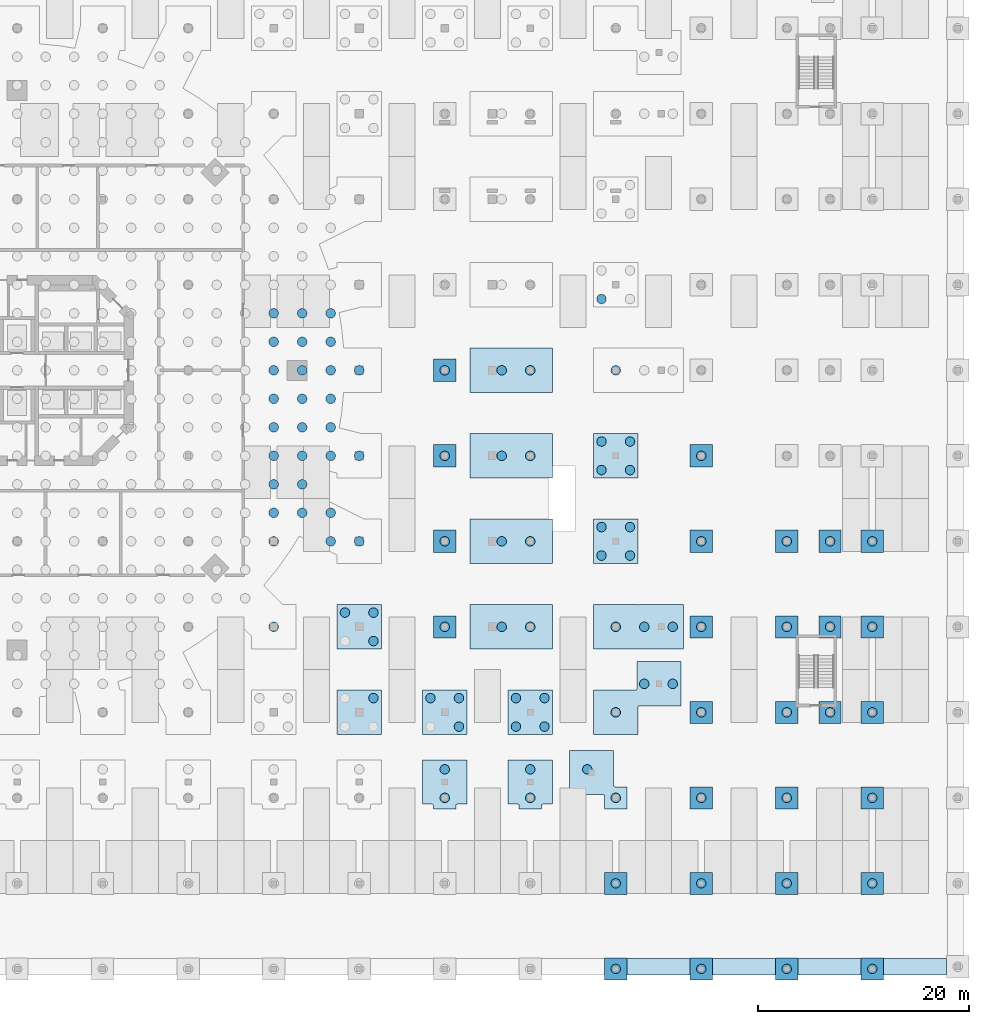
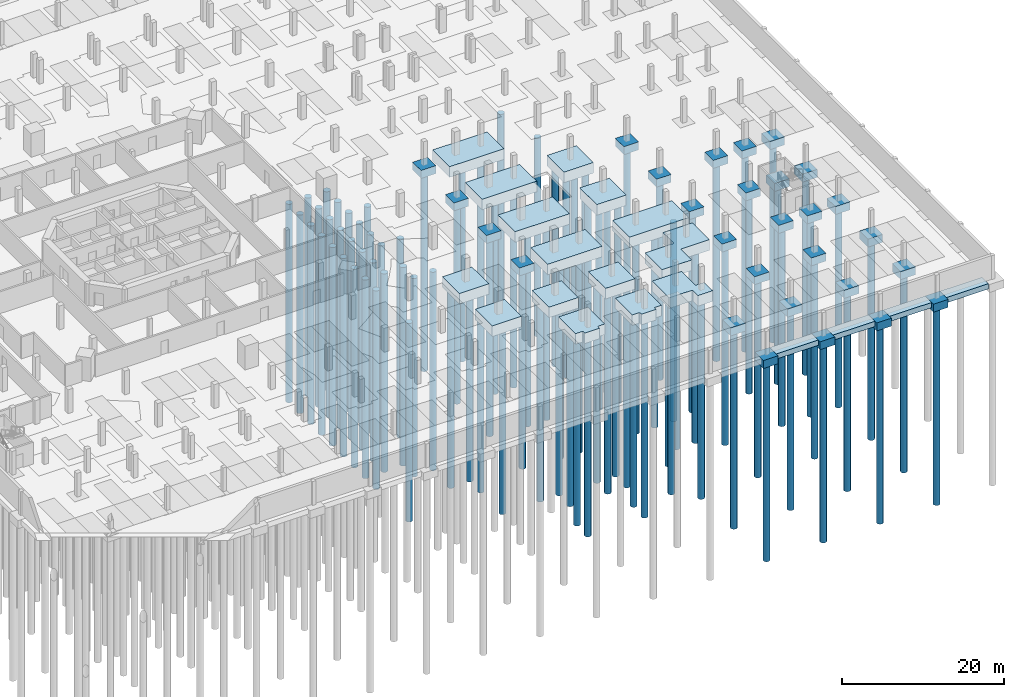
# One storey, part 4 of 23: 98 piles, 47 footings.
"""IFC4 building model written with IfcOpenShell, lengths in metres."""

from ifc_helpers import new_model, si_unit, direction, frame, origin, origin_2d, place, context, subcontext, project, spatial, polyline, rectangle, circle, outline, extrude, material, material_profile, profile_set, type_object, element, save


model = new_model("IFC4")

# Units and contexts
model_context = context("Model", 3, precision=1e-05, world=origin(), true_north=direction((0.0, 1.0)))
body_context = subcontext(model_context, "Body", "Model", "MODEL_VIEW")
ifc_project = project(units=[si_unit("LENGTHUNIT", "METRE"), si_unit("AREAUNIT", "SQUARE_METRE"), si_unit("VOLUMEUNIT", "CUBIC_METRE"), si_unit("PLANEANGLEUNIT", "RADIAN"), si_unit("MASSUNIT", "GRAM", prefix="KILO")], contexts=[model_context])

# Site, building, storey
site_placement = place(None, origin())
site = spatial("IfcSite", under=ifc_project, at=site_placement, CompositionType="ELEMENT")
building_placement = place(site_placement, origin())
building = spatial("IfcBuilding", under=site, at=building_placement, Name="Torre Triforio", CompositionType="ELEMENT")
storey_placement = place(building_placement, frame((0.0, 0.0, -10.800048828125)))
storey = spatial("IfcBuildingStorey", under=building, at=storey_placement, Name="B3", CompositionType="ELEMENT", Elevation=-10.800048828125)

# Piles
ifc_material_1 = material(Name="Concrete C35", Category="concrete")
ifc_material_profile = material_profile(ifc_material_1, circle(Radius=0.449951171875, at=origin_2d()), Name="RC D900")
ifc_profile_set = profile_set([ifc_material_profile], Name="Concrete C35")
pile_type = type_object("IfcPileType", Name="Bored pile D900 C35", PredefinedType="BORED", material=ifc_profile_set)
for number, where, z_axis, x_axis, name in (
    (1, (24.300048828125, -24.300048828125, -3.39990234375), (0.0, 0.0, -1.0), (1.0, 0.0, 0.0), "PL.RAFT.414"),
    (2, (24.300048828125, -16.199951171875, -3.39990234375), (0.0, 0.0, -1.0), (1.0, 0.0, 0.0), "PL.RAFT.415"),
    (3, (24.300048828125, -13.5, -3.39990234375), (0.0, 0.0, -1.0), (1.0, 0.0, 0.0), "PL.RAFT.416"),
    (4, (24.300048828125, -10.800048828125, -3.39990234375), (0.0, 0.0, -1.0), (1.0, 0.0, 0.0), "PL.RAFT.417"),
    (5, (24.300048828125, -8.10009765625, -3.39990234375), (0.0, 0.0, -1.0), (1.0, 0.0, 0.0), "PL.RAFT.418"),
    (6, (24.300048828125, -5.39990234375, -3.39990234375), (0.0, 0.0, -1.0), (1.0, 0.0, 0.0), "PL.RAFT.419"),
    (7, (24.300048828125, -2.699951171875, -3.39990234375), (0.0, 0.0, -1.0), (1.0, 0.0, 0.0), "PL.RAFT.420"),
    (8, (24.300048828125, 0.0, -3.39990234375), (0.0, 0.0, -1.0), (1.0, 0.0, 0.0), "PL.RAFT.421"),
    (9, (24.300048828125, 2.699951171875, -3.39990234375), (0.0, 0.0, -1.0), (1.0, 0.0, 0.0), "PL.RAFT.422"),
    (10, (24.300048828125, 5.39990234375, -3.39990234375), (0.0, 0.0, -1.0), (1.0, 0.0, 0.0), "PL.RAFT.423"),
    (11, (27.0, -13.5, -3.39990234375), (0.0, 0.0, -1.0), (1.0, 0.0, 0.0), "PL.RAFT.429"),
    (12, (27.0, -10.800048828125, -3.39990234375), (0.0, 0.0, -1.0), (1.0, 0.0, 0.0), "PL.RAFT.430"),
    (13, (27.0, -8.10009765625, -3.39990234375), (0.0, 0.0, -1.0), (1.0, 0.0, 0.0), "PL.RAFT.431"),
    (14, (27.0, -5.39990234375, -3.39990234375), (0.0, 0.0, -1.0), (1.0, 0.0, 0.0), "PL.RAFT.432"),
    (15, (27.0, -2.699951171875, -3.39990234375), (0.0, 0.0, -1.0), (1.0, 0.0, 0.0), "PL.RAFT.433"),
    (16, (27.0, 0.0, -3.39990234375), (0.0, 0.0, -1.0), (1.0, 0.0, 0.0), "PL.RAFT.434"),
    (17, (27.0, 2.699951171875, -3.39990234375), (0.0, 0.0, -1.0), (1.0, 0.0, 0.0), "PL.RAFT.435"),
    (18, (27.0, 5.39990234375, -3.39990234375), (0.0, 0.0, -1.0), (1.0, 0.0, 0.0), "PL.RAFT.436"),
    (19, (29.699951171875, -16.199951171875, -3.39990234375), (0.0, 0.0, -1.0), (1.0, 0.0, 0.0), "PL.RAFT.440"),
    (20, (29.699951171875, -13.5, -3.39990234375), (0.0, 0.0, -1.0), (1.0, 0.0, 0.0), "PL.RAFT.441"),
    (21, (29.699951171875, -8.10009765625, -3.39990234375), (0.0, 0.0, -1.0), (1.0, 0.0, 0.0), "PL.RAFT.442"),
    (22, (29.699951171875, -5.39990234375, -3.39990234375), (0.0, 0.0, -1.0), (1.0, 0.0, 0.0), "PL.RAFT.443"),
    (23, (29.699951171875, -2.699951171875, -3.39990234375), (0.0, 0.0, -1.0), (1.0, 0.0, 0.0), "PL.RAFT.444"),
    (24, (29.699951171875, 0.0, -3.39990234375), (0.0, 0.0, -1.0), (1.0, 0.0, 0.0), "PL.RAFT.445"),
    (25, (29.699951171875, 2.699951171875, -3.39990234375), (0.0, 0.0, -1.0), (1.0, 0.0, 0.0), "PL.RAFT.446"),
    (26, (29.699951171875, 5.39990234375, -3.39990234375), (0.0, 0.0, -1.0), (1.0, 0.0, 0.0), "PL.RAFT.447"),
    (27, (32.39990234375, -16.199951171875, -3.39990234375), (0.0, 0.0, -1.0), (1.0, 0.0, 0.0), "PL.RAFT.451"),
    (28, (32.39990234375, -8.10009765625, -3.39990234375), (0.0, 0.0, -1.0), (1.0, 0.0, 0.0), "PL.RAFT.452"),
    (29, (32.39990234375, 0.0, -3.39990234375), (0.0, 0.0, -1.0), (1.0, 0.0, 0.0), "PL.RAFT.453"),
    (30, (56.699951171875, -56.699951171875, -1.099853515625), (0.0, 0.0, -1.0), (1.0, 0.0, 0.0), "PL.PC.012.1"),
    (31, (64.800048828125, -56.699951171875, -1.099853515625), (0.0, 0.0, -1.0), (1.0, 0.0, 0.0), "PL.PC.013.1"),
    (32, (72.89990234375, -56.699951171875, -1.099853515625), (0.0, 0.0, -1.0), (1.0, 0.0, 0.0), "PL.PC.014.1"),
    (33, (81.0, -56.699951171875, -1.099853515625), (0.0, 0.0, -1.0), (1.0, 0.0, 0.0), "PL.PC.015.1"),
    (34, (56.699951171875, -48.60009765625, -1.099853515625), (0.0, 0.0, -1.0), (1.0, 0.0, 0.0), "PL.PC.030.1"),
    (35, (64.800048828125, -48.60009765625, -1.099853515625), (0.0, 0.0, -1.0), (1.0, 0.0, 0.0), "PL.PC.031.1"),
    (36, (72.89990234375, -48.60009765625, -1.099853515625), (0.0, 0.0, -1.0), (1.0, 0.0, 0.0), "PL.PC.032.1"),
    (37, (81.0, -48.60009765625, -1.099853515625), (0.0, 0.0, -1.0), (1.0, 0.0, 0.0), "PL.PC.033.1"),
    (38, (64.800048828125, -40.5, -1.099853515625), (0.0, 0.0, -1.0), (1.0, 0.0, 0.0), "PL.PC.037.1"),
    (39, (72.89990234375, -40.5, -1.099853515625), (0.0, 0.0, -1.0), (1.0, 0.0, 0.0), "PL.PC.038.1"),
    (40, (81.0, -40.5, -1.099853515625), (0.0, 0.0, -1.0), (1.0, 0.0, 0.0), "PL.PC.039.1"),
    (41, (40.5, -40.5, -1.5), (0.0, 0.0, -1.0), (1.0, 0.0, 0.0), "PL.PC.048.1"),
    (42, (40.5, -37.800048828125, -1.5), (0.0, 0.0, -1.0), (1.0, 0.0, 0.0), "PL.PC.048.2"),
    (43, (48.60009765625, -40.5, -1.5), (0.0, 0.0, -1.0), (1.0, 0.0, 0.0), "PL.PC.049.1"),
    (44, (48.60009765625, -37.800048828125, -1.5), (0.0, 0.0, -1.0), (1.0, 0.0, 0.0), "PL.PC.049.2"),
    (45, (54.0, -37.800048828125, -1.5), (0.0, 0.0, -1.0), (1.0, 0.0, 0.0), "PL.PC.051.1"),
    (46, (56.699951171875, -40.5, -1.5), (0.0, 0.0, -1.0), (1.0, 0.0, 0.0), "PL.PC.051.2"),
    (47, (33.75, -31.050048828125, -1.5), (0.0, 0.0, -1.0), (1.0, 0.0, 0.0), "PL.PC.057.4"),
    (48, (41.85009765625, -33.75, -1.5), (0.0, 0.0, -1.0), (1.0, 0.0, 0.0), "PL.PC.058.2"),
    (49, (39.14990234375, -31.050048828125, -1.5), (0.0, 0.0, -1.0), (1.0, 0.0, 0.0), "PL.PC.058.3"),
    (50, (41.85009765625, -31.050048828125, -1.5), (0.0, 0.0, -1.0), (1.0, 0.0, 0.0), "PL.PC.058.4"),
    (51, (47.25, -33.75, -1.5), (0.0, 0.0, -1.0), (1.0, 0.0, 0.0), "PL.PC.059.1"),
    (52, (49.949951171875, -33.75, -1.5), (0.0, 0.0, -1.0), (1.0, 0.0, 0.0), "PL.PC.059.2"),
    (53, (47.25, -31.050048828125, -1.5), (0.0, 0.0, -1.0), (1.0, 0.0, 0.0), "PL.PC.059.3"),
    (54, (49.949951171875, -31.050048828125, -1.5), (0.0, 0.0, -1.0), (1.0, 0.0, 0.0), "PL.PC.059.4"),
    (55, (64.800048828125, -32.39990234375, -1.099853515625), (0.0, 0.0, -1.0), (1.0, 0.0, 0.0), "PL.PC.060.1"),
    (56, (72.89990234375, -32.39990234375, -1.099853515625), (0.0, 0.0, -1.0), (1.0, 0.0, 0.0), "PL.PC.061.1"),
    (57, (77.0, -32.39990234375, -1.099853515625), (0.0, 0.0, -1.0), (1.0, 0.0, 0.0), "PL.PC.062.1"),
    (58, (81.0, -32.39990234375, -1.099853515625), (0.0, 0.0, -1.0), (1.0, 0.0, 0.0), "PL.PC.063.1"),
    (59, (56.699951171875, -32.39990234375, -1.5), (0.0, 0.0, -1.0), (1.0, 0.0, 0.0), "PL.PC.065.1"),
    (60, (59.39990234375, -29.699951171875, -1.5), (0.0, 0.0, -1.0), (1.0, 0.0, 0.0), "PL.PC.065.2"),
    (61, (62.10009765625, -29.699951171875, -1.5), (0.0, 0.0, -1.0), (1.0, 0.0, 0.0), "PL.PC.065.3"),
    (62, (33.75, -25.64990234375, -1.5), (0.0, 0.0, -1.0), (1.0, 0.0, 0.0), "PL.PC.069.2"),
    (63, (31.050048828125, -22.949951171875, -1.5), (0.0, 0.0, -1.0), (1.0, 0.0, 0.0), "PL.PC.069.3"),
    (64, (33.75, -22.949951171875, -1.5), (0.0, 0.0, -1.0), (1.0, 0.0, 0.0), "PL.PC.069.4"),
    (65, (40.5, -24.300048828125, -1.099853515625), (0.0, 0.0, -1.0), (1.0, 0.0, 0.0), "PL.PC.070.1"),
    (66, (45.89990234375, -24.300048828125, -1.5), (0.0, 0.0, -1.0), (1.0, 0.0, 0.0), "PL.PC.071.1"),
    (67, (48.60009765625, -24.300048828125, -1.5), (0.0, 0.0, -1.0), (1.0, 0.0, 0.0), "PL.PC.071.2"),
    (68, (56.699951171875, -24.300048828125, -1.5), (0.0, 0.0, -1.0), (1.0, 0.0, 0.0), "PL.PC.072.1"),
    (69, (59.39990234375, -24.300048828125, -1.5), (0.0, 0.0, -1.0), (1.0, 0.0, 0.0), "PL.PC.072.2"),
    (70, (62.10009765625, -24.300048828125, -1.5), (0.0, 0.0, -1.0), (1.0, 0.0, 0.0), "PL.PC.072.3"),
    (71, (64.800048828125, -24.300048828125, -1.099853515625), (0.0, 0.0, -1.0), (1.0, 0.0, 0.0), "PL.PC.073.1"),
    (72, (72.89990234375, -24.300048828125, -1.099853515625), (0.0, 0.0, -1.0), (1.0, 0.0, 0.0), "PL.PC.074.1"),
    (73, (77.0, -24.300048828125, -1.099853515625), (0.0, 0.0, -1.0), (1.0, 0.0, 0.0), "PL.PC.075.1"),
    (74, (81.0, -24.300048828125, -1.099853515625), (0.0, 0.0, -1.0), (1.0, 0.0, 0.0), "PL.PC.076.1"),
    (75, (40.5, -16.199951171875, -1.099853515625), (0.0, 0.0, -1.0), (1.0, 0.0, 0.0), "PL.PC.080.1"),
    (76, (45.89990234375, -16.199951171875, -1.5), (0.0, 0.0, -1.0), (1.0, 0.0, 0.0), "PL.PC.081.1"),
    (77, (48.60009765625, -16.199951171875, -1.5), (0.0, 0.0, -1.0), (1.0, 0.0, 0.0), "PL.PC.081.2"),
    (78, (55.35009765625, -17.550048828125, -1.5), (0.0, 0.0, -1.0), (1.0, 0.0, 0.0), "PL.PC.082.1"),
    (79, (58.050048828125, -17.550048828125, -1.5), (0.0, 0.0, -1.0), (1.0, 0.0, 0.0), "PL.PC.082.2"),
    (80, (55.35009765625, -14.85009765625, -1.5), (0.0, 0.0, -1.0), (1.0, 0.0, 0.0), "PL.PC.082.3"),
    (81, (58.050048828125, -14.85009765625, -1.5), (0.0, 0.0, -1.0), (1.0, 0.0, 0.0), "PL.PC.082.4"),
    (82, (64.800048828125, -16.199951171875, -1.099853515625), (0.0, 0.0, -1.0), (1.0, 0.0, 0.0), "PL.PC.083.1"),
    (83, (72.89990234375, -16.199951171875, -1.099853515625), (0.0, 0.0, -1.0), (1.0, 0.0, 0.0), "PL.PC.084.1"),
    (84, (77.0, -16.199951171875, -1.099853515625), (0.0, 0.0, -1.0), (1.0, 0.0, 0.0), "PL.PC.085.1"),
    (85, (81.0, -16.199951171875, -1.099853515625), (0.0, 0.0, -1.0), (1.0, 0.0, 0.0), "PL.PC.086.1"),
    (86, (40.5, -8.10009765625, -1.099853515625), (0.0, 0.0, -1.0), (1.0, 0.0, 0.0), "PL.PC.090.1"),
    (87, (45.89990234375, -8.10009765625, -1.5), (0.0, 0.0, -1.0), (1.0, 0.0, 0.0), "PL.PC.091.1"),
    (88, (48.60009765625, -8.10009765625, -1.5), (0.0, 0.0, -1.0), (1.0, 0.0, 0.0), "PL.PC.091.2"),
    (89, (55.35009765625, -9.449951171875, -1.5), (0.0, 0.0, -1.0), (1.0, 0.0, 0.0), "PL.PC.092.1"),
    (90, (58.050048828125, -9.449951171875, -1.5), (0.0, 0.0, -1.0), (1.0, 0.0, 0.0), "PL.PC.092.2"),
    (91, (55.35009765625, -6.75, -1.5), (0.0, 0.0, -1.0), (1.0, 0.0, 0.0), "PL.PC.092.3"),
    (92, (58.050048828125, -6.75, -1.5), (0.0, 0.0, -1.0), (1.0, 0.0, 0.0), "PL.PC.092.4"),
    (93, (64.800048828125, -8.10009765625, -1.099853515625), (0.0, 0.0, -1.0), (1.0, 0.0, 0.0), "PL.PC.093.1"),
    (94, (40.5, 0.0, -1.099853515625), (0.0, 0.0, -1.0), (1.0, 0.0, 0.0), "PL.PC.100.1"),
    (95, (45.89990234375, 0.0, -1.5), (0.0, 0.0, -1.0), (1.0, 0.0, 0.0), "PL.PC.101.1"),
    (96, (48.60009765625, 0.0, -1.5), (0.0, 0.0, -1.0), (1.0, 0.0, 0.0), "PL.PC.101.2"),
    (97, (56.699951171875, 0.0, -1.5), (0.0, 0.0, -1.0), (1.0, 0.0, 0.0), "PL.PC.102.1"),
    (98, (55.35009765625, 6.75, -1.5), (0.0, 0.0, -1.0), (1.0, 0.0, 0.0), "PL.PC.112.1"),
):
    element("IfcPile", number, at=place(storey_placement, frame(where, z_axis=z_axis, x_axis=x_axis)), inside=storey, type_object=pile_type, Name=name, PredefinedType="BORED", context=body_context, shape_type="SweptSolid", body=[
        extrude(circle(Radius=0.449951171875, at=origin_2d()), origin(), (0.0, 0.0, 1.0), 30.0),
    ])

# Footings
ifc_material_2 = material(Name="Concrete C50", Category="concrete")
footing_type_1 = type_object("IfcFootingType", Name="Pile cap combined 1600 C50", PredefinedType="PILE_CAP", material=ifc_material_2)
footing_1_placement = place(storey_placement, frame((0.0, 0.0, -1.599853515625)))
element("IfcFooting", 99, at=footing_1_placement, inside=storey, type_object=footing_type_1, Name="FT.PC.048", PredefinedType="PILE_CAP", context=body_context, shape_type="SweptSolid", body=[
    extrude(outline(polyline([(38.400146484375, -41.099853515625), (38.403564453125, -41.10009765625), (39.300048828125, -41.10009765625), (39.314697265625, -41.100830078125), (39.329345703125, -41.102783203125), (39.343505859375, -41.1064453125), (39.357421875, -41.111328125), (39.37060546875, -41.11767578125), (39.38330078125, -41.125244140625), (39.395263671875, -41.134033203125), (39.406005859375, -41.14404296875), (39.416015625, -41.15478515625), (39.4248046875, -41.166748046875), (39.432373046875, -41.17919921875), (39.4384765625, -41.192626953125), (39.443603515625, -41.20654296875), (39.447021484375, -41.220703125), (39.44921875, -41.2353515625), (39.449951171875, -41.25), (39.449951171875, -41.54638671875), (39.4501953125, -41.5498046875), (39.45361328125, -41.550048828125), (41.54638671875, -41.550048828125), (41.5498046875, -41.5498046875), (41.550048828125, -41.54638671875), (41.550048828125, -41.25), (41.55078125, -41.2353515625), (41.552978515625, -41.220703125), (41.556396484375, -41.20654296875), (41.5615234375, -41.192626953125), (41.567626953125, -41.17919921875), (41.5751953125, -41.166748046875), (41.583984375, -41.15478515625), (41.593994140625, -41.14404296875), (41.604736328125, -41.134033203125), (41.61669921875, -41.125244140625), (41.62939453125, -41.11767578125), (41.642578125, -41.111328125), (41.656494140625, -41.1064453125), (41.670654296875, -41.102783203125), (41.685302734375, -41.100830078125), (41.699951171875, -41.10009765625), (42.596435546875, -41.10009765625), (42.599853515625, -41.099853515625), (42.60009765625, -41.096435546875), (42.60009765625, -36.903564453125), (42.599853515625, -36.900146484375), (42.596435546875, -36.89990234375), (38.403564453125, -36.89990234375), (38.400146484375, -36.900146484375), (38.39990234375, -36.903564453125), (38.39990234375, -41.096435546875), (38.400146484375, -41.099853515625)])), origin(), (0.0, 0.0, 1.0), 1.599853515625),
])
footing_2_placement = place(storey_placement, frame((0.0, 0.0, -1.599853515625)))
element("IfcFooting", 100, at=footing_2_placement, inside=storey, type_object=footing_type_1, Name="FT.PC.049", PredefinedType="PILE_CAP", context=body_context, shape_type="SweptSolid", body=[
    extrude(outline(polyline([(46.500244140625, -41.099853515625), (46.503662109375, -41.10009765625), (47.39990234375, -41.10009765625), (47.414794921875, -41.100830078125), (47.42919921875, -41.102783203125), (47.443603515625, -41.1064453125), (47.45751953125, -41.111328125), (47.470703125, -41.11767578125), (47.4833984375, -41.125244140625), (47.4951171875, -41.134033203125), (47.506103515625, -41.14404296875), (47.515869140625, -41.15478515625), (47.524658203125, -41.166748046875), (47.5322265625, -41.17919921875), (47.53857421875, -41.192626953125), (47.54345703125, -41.20654296875), (47.547119140625, -41.220703125), (47.54931640625, -41.2353515625), (47.550048828125, -41.25), (47.550048828125, -41.54638671875), (47.55029296875, -41.5498046875), (47.5537109375, -41.550048828125), (49.646240234375, -41.550048828125), (49.64990234375, -41.5498046875), (49.64990234375, -41.54638671875), (49.64990234375, -41.25), (49.650634765625, -41.2353515625), (49.65283203125, -41.220703125), (49.656494140625, -41.20654296875), (49.661376953125, -41.192626953125), (49.667724609375, -41.17919921875), (49.67529296875, -41.166748046875), (49.68408203125, -41.15478515625), (49.69384765625, -41.14404296875), (49.704833984375, -41.134033203125), (49.716552734375, -41.125244140625), (49.729248046875, -41.11767578125), (49.74267578125, -41.111328125), (49.75634765625, -41.1064453125), (49.770751953125, -41.102783203125), (49.785400390625, -41.100830078125), (49.800048828125, -41.10009765625), (50.6962890625, -41.10009765625), (50.69970703125, -41.099853515625), (50.699951171875, -41.096435546875), (50.699951171875, -36.903564453125), (50.69970703125, -36.900146484375), (50.6962890625, -36.89990234375), (46.503662109375, -36.89990234375), (46.500244140625, -36.900146484375), (46.5, -36.903564453125), (46.5, -41.096435546875), (46.500244140625, -41.099853515625)])), origin(), (0.0, 0.0, 1.0), 1.599853515625),
])
footing_3_placement = place(storey_placement, frame((0.0, 0.0, -1.599853515625)))
element("IfcFooting", 101, at=footing_3_placement, inside=storey, type_object=footing_type_1, Name="FT.PC.051", PredefinedType="PILE_CAP", context=body_context, shape_type="SweptSolid", body=[
    extrude(outline(polyline([(52.30029296875, -40.19970703125), (52.3037109375, -40.199951171875), (55.5, -40.199951171875), (55.5146484375, -40.20068359375), (55.529296875, -40.202880859375), (55.54345703125, -40.20654296875), (55.557373046875, -40.21142578125), (55.57080078125, -40.2177734375), (55.583251953125, -40.225341796875), (55.59521484375, -40.234130859375), (55.60595703125, -40.243896484375), (55.615966796875, -40.2548828125), (55.624755859375, -40.2666015625), (55.63232421875, -40.279296875), (55.638671875, -40.29248046875), (55.6435546875, -40.306396484375), (55.647216796875, -40.32080078125), (55.649169921875, -40.335205078125), (55.64990234375, -40.35009765625), (55.64990234375, -41.54638671875), (55.650146484375, -41.5498046875), (55.653564453125, -41.550048828125), (57.746337890625, -41.550048828125), (57.749755859375, -41.5498046875), (57.75, -41.54638671875), (57.75, -39.45361328125), (57.749755859375, -39.4501953125), (57.746337890625, -39.449951171875), (56.64990234375, -39.449951171875), (56.63525390625, -39.44921875), (56.620849609375, -39.447021484375), (56.6064453125, -39.443603515625), (56.592529296875, -39.4384765625), (56.579345703125, -39.432373046875), (56.566650390625, -39.4248046875), (56.554931640625, -39.416015625), (56.5439453125, -39.406005859375), (56.533935546875, -39.395263671875), (56.525390625, -39.38330078125), (56.517822265625, -39.37060546875), (56.511474609375, -39.357421875), (56.50634765625, -39.343505859375), (56.5029296875, -39.329345703125), (56.500732421875, -39.314697265625), (56.5, -39.300048828125), (56.5, -36.003662109375), (56.499755859375, -36.000244140625), (56.496337890625, -36.0), (52.3037109375, -36.0), (52.30029296875, -36.000244140625), (52.300048828125, -36.003662109375), (52.300048828125, -40.1962890625), (52.30029296875, -40.19970703125)])), origin(), (0.0, 0.0, 1.0), 1.599853515625),
])
footing_4_placement = place(storey_placement, frame((0.0, 0.0, -1.599853515625)))
element("IfcFooting", 102, at=footing_4_placement, inside=storey, type_object=footing_type_1, Name="FT.PC.065", PredefinedType="PILE_CAP", context=body_context, shape_type="SweptSolid", body=[
    extrude(outline(polyline([(54.60009765625, -30.30029296875), (54.60009765625, -30.3037109375), (54.60009765625, -34.496337890625), (54.60009765625, -34.499755859375), (54.603759765625, -34.5), (58.79638671875, -34.5), (58.7998046875, -34.499755859375), (58.800048828125, -34.496337890625), (58.800048828125, -31.949951171875), (58.80078125, -31.935302734375), (58.802978515625, -31.920654296875), (58.806396484375, -31.906494140625), (58.8115234375, -31.892578125), (58.817626953125, -31.87939453125), (58.8251953125, -31.86669921875), (58.833984375, -31.854736328125), (58.843994140625, -31.843994140625), (58.854736328125, -31.833984375), (58.86669921875, -31.8251953125), (58.87939453125, -31.817626953125), (58.892578125, -31.8115234375), (58.906494140625, -31.806396484375), (58.920654296875, -31.802978515625), (58.935302734375, -31.80078125), (58.949951171875, -31.800048828125), (62.896240234375, -31.800048828125), (62.89990234375, -31.7998046875), (62.89990234375, -31.79638671875), (62.89990234375, -27.603759765625), (62.89990234375, -27.60009765625), (62.896240234375, -27.60009765625), (58.70361328125, -27.60009765625), (58.7001953125, -27.60009765625), (58.699951171875, -27.603759765625), (58.699951171875, -30.14990234375), (58.69921875, -30.164794921875), (58.697021484375, -30.17919921875), (58.693603515625, -30.193603515625), (58.6884765625, -30.20751953125), (58.682373046875, -30.220703125), (58.6748046875, -30.2333984375), (58.666015625, -30.2451171875), (58.656005859375, -30.256103515625), (58.645263671875, -30.265869140625), (58.63330078125, -30.274658203125), (58.62060546875, -30.2822265625), (58.607421875, -30.28857421875), (58.593505859375, -30.29345703125), (58.579345703125, -30.297119140625), (58.564697265625, -30.29931640625), (58.550048828125, -30.300048828125), (54.603759765625, -30.300048828125), (54.60009765625, -30.30029296875)])), origin(), (0.0, 0.0, 1.0), 1.599853515625),
])
footing_5_placement = place(storey_placement, frame((0.0, 0.0, -1.599853515625)))
element("IfcFooting", 103, at=footing_5_placement, inside=storey, type_object=footing_type_1, Name="FT.PC.071", PredefinedType="PILE_CAP", context=body_context, shape_type="SweptSolid", body=[
    extrude(outline(polyline([(42.900146484375, -26.39990234375), (42.903564453125, -26.39990234375), (50.6962890625, -26.39990234375), (50.69970703125, -26.39990234375), (50.699951171875, -26.396240234375), (50.699951171875, -22.20361328125), (50.69970703125, -22.2001953125), (50.6962890625, -22.199951171875), (42.903564453125, -22.199951171875), (42.900146484375, -22.2001953125), (42.89990234375, -22.20361328125), (42.89990234375, -26.396240234375), (42.900146484375, -26.39990234375)])), origin(), (0.0, 0.0, 1.0), 1.599853515625),
])
footing_6_placement = place(storey_placement, frame((0.0, 0.0, -1.599853515625)))
element("IfcFooting", 104, at=footing_6_placement, inside=storey, type_object=footing_type_1, Name="FT.PC.072", PredefinedType="PILE_CAP", context=body_context, shape_type="SweptSolid", body=[
    extrude(outline(polyline([(54.60009765625, -26.39990234375), (54.603759765625, -26.39990234375), (58.79638671875, -26.39990234375), (58.800048828125, -26.39990234375), (58.800537109375, -26.399658203125), (58.8134765625, -26.395751953125), (58.827880859375, -26.392822265625), (58.842529296875, -26.391357421875), (58.857421875, -26.391357421875), (58.8720703125, -26.392822265625), (58.886474609375, -26.395751953125), (58.899658203125, -26.399658203125), (58.900146484375, -26.39990234375), (58.903564453125, -26.39990234375), (63.096435546875, -26.39990234375), (63.099853515625, -26.39990234375), (63.10009765625, -26.396240234375), (63.10009765625, -22.20361328125), (63.099853515625, -22.2001953125), (63.096435546875, -22.199951171875), (58.903564453125, -22.199951171875), (58.900146484375, -22.2001953125), (58.899658203125, -22.2001953125), (58.886474609375, -22.204345703125), (58.8720703125, -22.20703125), (58.857421875, -22.20849609375), (58.842529296875, -22.20849609375), (58.827880859375, -22.20703125), (58.8134765625, -22.204345703125), (58.800537109375, -22.2001953125), (58.800048828125, -22.2001953125), (58.79638671875, -22.199951171875), (54.603759765625, -22.199951171875), (54.60009765625, -22.2001953125), (54.60009765625, -22.20361328125), (54.60009765625, -26.396240234375), (54.60009765625, -26.39990234375)])), origin(), (0.0, 0.0, 1.0), 1.599853515625),
])
footing_7_placement = place(storey_placement, frame((0.0, 0.0, -1.599853515625)))
element("IfcFooting", 105, at=footing_7_placement, inside=storey, type_object=footing_type_1, Name="FT.PC.081", PredefinedType="PILE_CAP", context=body_context, shape_type="SweptSolid", body=[
    extrude(outline(polyline([(42.900146484375, -18.2998046875), (42.903564453125, -18.300048828125), (50.6962890625, -18.300048828125), (50.69970703125, -18.2998046875), (50.699951171875, -18.29638671875), (50.699951171875, -14.103759765625), (50.69970703125, -14.10009765625), (50.6962890625, -14.10009765625), (42.903564453125, -14.10009765625), (42.900146484375, -14.10009765625), (42.89990234375, -14.103759765625), (42.89990234375, -18.29638671875), (42.900146484375, -18.2998046875)])), origin(), (0.0, 0.0, 1.0), 1.599853515625),
])
footing_8_placement = place(storey_placement, frame((0.0, 0.0, -1.599853515625)))
element("IfcFooting", 106, at=footing_8_placement, inside=storey, type_object=footing_type_1, Name="FT.PC.091", PredefinedType="PILE_CAP", context=body_context, shape_type="SweptSolid", body=[
    extrude(outline(polyline([(42.900146484375, -10.19970703125), (42.903564453125, -10.199951171875), (50.6962890625, -10.199951171875), (50.69970703125, -10.19970703125), (50.699951171875, -10.1962890625), (50.699951171875, -6.003662109375), (50.69970703125, -6.000244140625), (50.6962890625, -6.0), (42.903564453125, -6.0), (42.900146484375, -6.000244140625), (42.89990234375, -6.003662109375), (42.89990234375, -10.1962890625), (42.900146484375, -10.19970703125)])), origin(), (0.0, 0.0, 1.0), 1.599853515625),
])
footing_9_placement = place(storey_placement, frame((0.0, 0.0, -1.599853515625)))
element("IfcFooting", 107, at=footing_9_placement, inside=storey, type_object=footing_type_1, Name="FT.PC.101", PredefinedType="PILE_CAP", context=body_context, shape_type="SweptSolid", body=[
    extrude(outline(polyline([(42.900146484375, -2.099853515625), (42.903564453125, -2.10009765625), (50.6962890625, -2.10009765625), (50.69970703125, -2.099853515625), (50.699951171875, -2.096435546875), (50.699951171875, 2.096435546875), (50.69970703125, 2.099853515625), (50.6962890625, 2.10009765625), (42.903564453125, 2.10009765625), (42.900146484375, 2.099853515625), (42.89990234375, 2.096435546875), (42.89990234375, -2.096435546875), (42.900146484375, -2.099853515625)])), origin(), (0.0, 0.0, 1.0), 1.599853515625),
])
footing_type_2 = type_object("IfcFootingType", Name="Pile cap four pile 4200 1600 C50", PredefinedType="PILE_CAP", material=ifc_material_2)
for number, where, z_axis, x_axis, name in (
    (108, (32.39990234375, -32.39990234375, -1.60009765625), (0.0, 0.0, 1.0), (1.0, 0.0, 0.0), "FT.PC.057"),
    (109, (40.5, -32.39990234375, -1.60009765625), (0.0, 0.0, 1.0), (1.0, 0.0, 0.0), "FT.PC.058"),
    (110, (48.60009765625, -32.39990234375, -1.60009765625), (0.0, 0.0, 1.0), (1.0, 0.0, 0.0), "FT.PC.059"),
    (111, (32.39990234375, -24.300048828125, -1.60009765625), (0.0, 0.0, 1.0), (1.0, 0.0, 0.0), "FT.PC.069"),
    (112, (56.699951171875, -16.199951171875, -1.60009765625), (0.0, 0.0, 1.0), (1.0, 0.0, 0.0), "FT.PC.082"),
    (113, (56.699951171875, -8.10009765625, -1.60009765625), (0.0, 0.0, 1.0), (1.0, 0.0, 0.0), "FT.PC.092"),
):
    element("IfcFooting", number, at=place(storey_placement, frame(where, z_axis=z_axis, x_axis=x_axis)), inside=storey, type_object=footing_type_2, Name=name, PredefinedType="PILE_CAP", context=body_context, shape_type="SweptSolid", body=[
        extrude(rectangle(XDim=4.199951171875, YDim=4.199951171875, at=origin_2d()), origin(), (0.0, 0.0, 1.0), 1.60009765625),
    ])
footing_type_3 = type_object("IfcFootingType", Name="Pile cap single pile 2100 1200 C50", PredefinedType="PILE_CAP", material=ifc_material_2)
for number, where, z_axis, x_axis, name in (
    (114, (56.699951171875, -56.699951171875, -1.19970703125), (0.0, 0.0, 1.0), (1.0, 0.0, 0.0), "FT.PC.012"),
    (115, (64.800048828125, -56.699951171875, -1.19970703125), (0.0, 0.0, 1.0), (1.0, 0.0, 0.0), "FT.PC.013"),
    (116, (72.89990234375, -56.699951171875, -1.19970703125), (0.0, 0.0, 1.0), (1.0, 0.0, 0.0), "FT.PC.014"),
    (117, (81.0, -56.699951171875, -1.19970703125), (0.0, 0.0, 1.0), (1.0, 0.0, 0.0), "FT.PC.015"),
    (118, (56.699951171875, -48.60009765625, -1.19970703125), (0.0, 0.0, 1.0), (1.0, 0.0, 0.0), "FT.PC.030"),
    (119, (64.800048828125, -48.60009765625, -1.19970703125), (0.0, 0.0, 1.0), (1.0, 0.0, 0.0), "FT.PC.031"),
    (120, (72.89990234375, -48.60009765625, -1.19970703125), (0.0, 0.0, 1.0), (1.0, 0.0, 0.0), "FT.PC.032"),
    (121, (81.0, -48.60009765625, -1.19970703125), (0.0, 0.0, 1.0), (1.0, 0.0, 0.0), "FT.PC.033"),
    (122, (64.800048828125, -40.5, -1.19970703125), (0.0, 0.0, 1.0), (1.0, 0.0, 0.0), "FT.PC.037"),
    (123, (72.89990234375, -40.5, -1.19970703125), (0.0, 0.0, 1.0), (1.0, 0.0, 0.0), "FT.PC.038"),
    (124, (81.0, -40.5, -1.19970703125), (0.0, 0.0, 1.0), (1.0, 0.0, 0.0), "FT.PC.039"),
    (125, (64.800048828125, -32.39990234375, -1.19970703125), (0.0, 0.0, 1.0), (1.0, 0.0, 0.0), "FT.PC.060"),
    (126, (72.89990234375, -32.39990234375, -1.19970703125), (0.0, 0.0, 1.0), (1.0, 0.0, 0.0), "FT.PC.061"),
    (127, (77.0, -32.39990234375, -1.19970703125), (0.0, 0.0, 1.0), (1.0, 0.0, 0.0), "FT.PC.062"),
    (128, (81.0, -32.39990234375, -1.19970703125), (0.0, 0.0, 1.0), (1.0, 0.0, 0.0), "FT.PC.063"),
    (129, (40.5, -24.300048828125, -1.19970703125), (0.0, 0.0, 1.0), (1.0, 0.0, 0.0), "FT.PC.070"),
    (130, (64.800048828125, -24.300048828125, -1.19970703125), (0.0, 0.0, 1.0), (1.0, 0.0, 0.0), "FT.PC.073"),
    (131, (72.89990234375, -24.300048828125, -1.19970703125), (0.0, 0.0, 1.0), (1.0, 0.0, 0.0), "FT.PC.074"),
    (132, (77.0, -24.300048828125, -1.19970703125), (0.0, 0.0, 1.0), (1.0, 0.0, 0.0), "FT.PC.075"),
    (133, (81.0, -24.300048828125, -1.19970703125), (0.0, 0.0, 1.0), (1.0, 0.0, 0.0), "FT.PC.076"),
    (134, (40.5, -16.199951171875, -1.19970703125), (0.0, 0.0, 1.0), (1.0, 0.0, 0.0), "FT.PC.080"),
    (135, (64.800048828125, -16.199951171875, -1.19970703125), (0.0, 0.0, 1.0), (1.0, 0.0, 0.0), "FT.PC.083"),
    (136, (72.89990234375, -16.199951171875, -1.19970703125), (0.0, 0.0, 1.0), (1.0, 0.0, 0.0), "FT.PC.084"),
    (137, (77.0, -16.199951171875, -1.19970703125), (0.0, 0.0, 1.0), (1.0, 0.0, 0.0), "FT.PC.085"),
    (138, (81.0, -16.199951171875, -1.19970703125), (0.0, 0.0, 1.0), (1.0, 0.0, 0.0), "FT.PC.086"),
    (139, (40.5, -8.10009765625, -1.19970703125), (0.0, 0.0, 1.0), (1.0, 0.0, 0.0), "FT.PC.090"),
    (140, (64.800048828125, -8.10009765625, -1.19970703125), (0.0, 0.0, 1.0), (1.0, 0.0, 0.0), "FT.PC.093"),
    (141, (40.5, 0.0, -1.19970703125), (0.0, 0.0, 1.0), (1.0, 0.0, 0.0), "FT.PC.100"),
):
    element("IfcFooting", number, at=place(storey_placement, frame(where, z_axis=z_axis, x_axis=x_axis)), inside=storey, type_object=footing_type_3, Name=name, PredefinedType="PILE_CAP", context=body_context, shape_type="SweptSolid", body=[
        extrude(rectangle(XDim=2.10009765625, YDim=2.10009765625, at=origin_2d()), origin(), (0.0, 0.0, 1.0), 1.199951171875),
    ])
ifc_material_3 = material(Name="Concrete C40", Category="concrete")
footing_type_4 = type_object("IfcFootingType", Name="Strip footing 1600 800 C40", PredefinedType="STRIP_FOOTING", material=ifc_material_3)
footing_10_placement = place(storey_placement, frame((0.0, 0.0, -0.800048828125)))
element("IfcFooting", 142, at=footing_10_placement, inside=storey, type_object=footing_type_4, Name="FT.STRIP.01", PredefinedType="STRIP_FOOTING", context=body_context, shape_type="SweptSolid", body=[
    extrude(outline(polyline([(65.85009765625, -57.300048828125), (71.85009765625, -57.300048828125), (71.85009765625, -55.699951171875), (65.85009765625, -55.699951171875), (65.85009765625, -57.300048828125)])), origin(), (0.0, 0.0, 1.0), 0.800048828125),
])
footing_11_placement = place(storey_placement, frame((0.0, 0.0, -0.800048828125)))
element("IfcFooting", 143, at=footing_11_placement, inside=storey, type_object=footing_type_4, Name="FT.STRIP.31", PredefinedType="STRIP_FOOTING", context=body_context, shape_type="SweptSolid", body=[
    extrude(outline(polyline([(57.75, -57.300048828125), (63.75, -57.300048828125), (63.75, -55.699951171875), (57.75, -55.699951171875), (57.75, -57.300048828125)])), origin(), (0.0, 0.0, 1.0), 0.800048828125),
])
footing_12_placement = place(storey_placement, frame((0.0, 0.0, -0.800048828125)))
element("IfcFooting", 144, at=footing_12_placement, inside=storey, type_object=footing_type_4, Name="FT.STRIP.33", PredefinedType="STRIP_FOOTING", context=body_context, shape_type="SweptSolid", body=[
    extrude(outline(polyline([(73.949951171875, -57.300048828125), (79.949951171875, -57.300048828125), (79.949951171875, -55.699951171875), (73.949951171875, -55.699951171875), (73.949951171875, -57.300048828125)])), origin(), (0.0, 0.0, 1.0), 0.800048828125),
])
footing_13_placement = place(storey_placement, frame((0.0, 0.0, -0.800048828125)))
element("IfcFooting", 145, at=footing_13_placement, inside=storey, type_object=footing_type_4, Name="FT.STRIP.35", PredefinedType="STRIP_FOOTING", context=body_context, shape_type="SweptSolid", body=[
    extrude(outline(polyline([(82.050048828125, -57.300048828125), (88.050048828125, -57.300048828125), (88.050048828125, -55.699951171875), (82.050048828125, -55.699951171875), (82.050048828125, -57.300048828125)])), origin(), (0.0, 0.0, 1.0), 0.800048828125),
])

save(model, "model.ifc")
